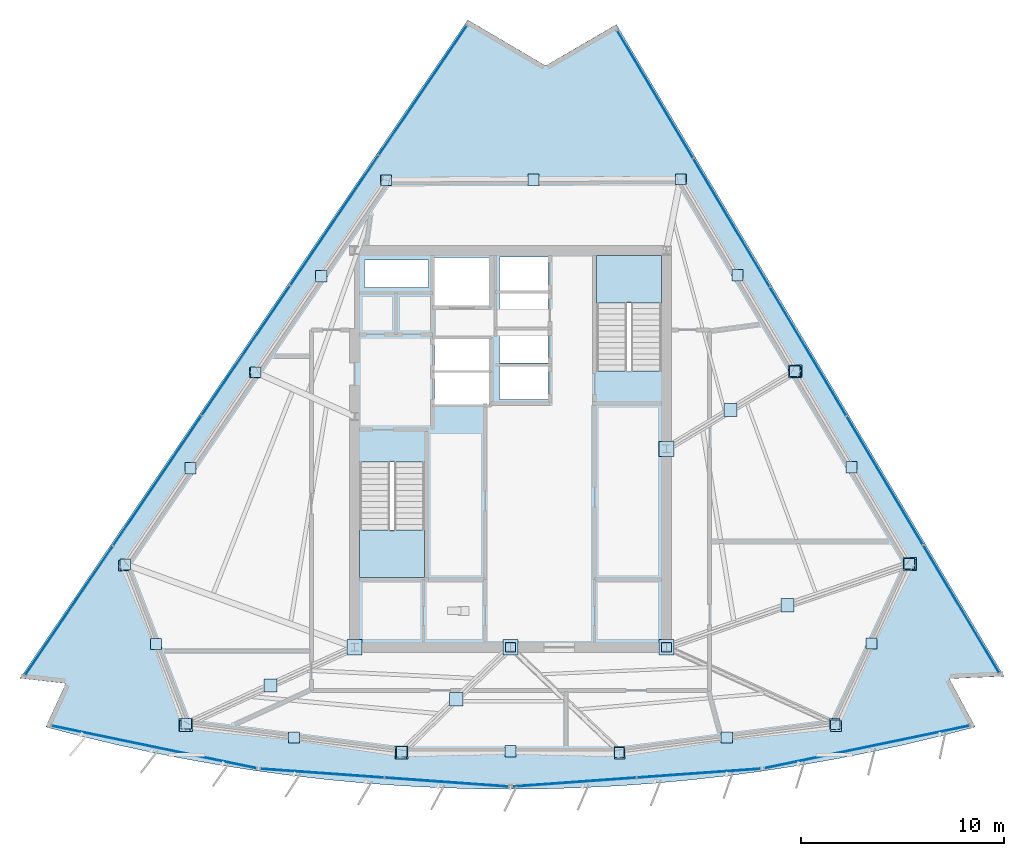
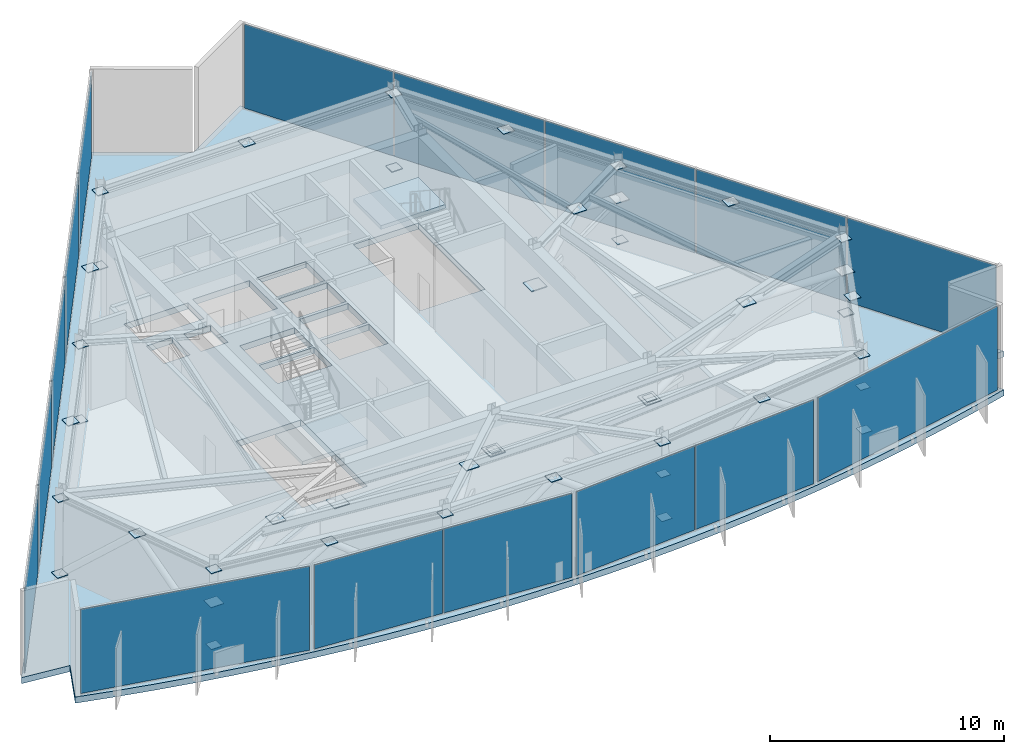
# One storey, part 7 of 14: 62 plates, 3 slabs, 8 elements without a shape of their own.
"""IFC4 building model written with IfcOpenShell, lengths in metres."""

from ifc_helpers import new_model, si_unit, direction, frame, origin, origin_2d, place, context, subcontext, project, spatial, polyline, rectangle, outline, extrude, material, layer, layer_set, type_object, element, aggregate, save


model = new_model("IFC4")

# Units and contexts
model_context = context("Model", 3, precision=1e-05, world=origin(), true_north=direction((0.0, 1.0)))
body_context = subcontext(model_context, "Body", "Model", "MODEL_VIEW")
ifc_project = project(units=[si_unit("LENGTHUNIT", "METRE"), si_unit("AREAUNIT", "SQUARE_METRE"), si_unit("VOLUMEUNIT", "CUBIC_METRE"), si_unit("PLANEANGLEUNIT", "RADIAN"), si_unit("MASSUNIT", "GRAM", prefix="KILO")], contexts=[model_context])

# Site, building, storey
site_placement = place(None, origin())
site = spatial("IfcSite", under=ifc_project, at=site_placement, CompositionType="ELEMENT")
building_placement = place(site_placement, origin())
building = spatial("IfcBuilding", under=site, at=building_placement, Name="Savorim Split Tower", CompositionType="ELEMENT")
storey_placement = place(building_placement, frame((0.0, 0.0, 241.5)))
storey = spatial("IfcBuildingStorey", under=building, at=storey_placement, Name="L64", CompositionType="ELEMENT", Elevation=241.5)

# Curtain wall, plate
ifc_material_1 = material(Name="Dark Ceramic-Fritted Insulated Glass", Category="glass")
curtain_wall_type = type_object("IfcCurtainWallType", Name="CW-REFUGE-LVR", PredefinedType="NOTDEFINED", material=ifc_material_1)
curtain_wall_1_placement = place(storey_placement, origin())
curtain_wall_1 = element("IfcCurtainWall", 1, at=curtain_wall_1_placement, inside=storey, type_object=curtain_wall_type, Name="L64 Curtain Wall CW-L64-SF1", PredefinedType="NOTDEFINED")
ifc_material_2 = material(Name="Charcoal Anodised Aluminium", Category="aluminium")
ifc_layer_1 = layer(ifc_material_2, 0.035888671875)
ifc_layer_set_1 = layer_set([ifc_layer_1], Name="CWP-LVR-36")
plate_type_1 = type_object("IfcPlateType", Name="CWP-LVR-36", PredefinedType="CURTAIN_PANEL", material=ifc_layer_set_1)
plate_1_placement = place(storey_placement, frame((-17.60107421875, -14.31982421875, 0.05517578125), z_axis=(0.0, 0.0, 1.0), x_axis=(0.979135673129, -0.20320761208, 0.0)))
plate_1 = element("IfcPlate", 2, at=plate_1_placement, type_object=plate_type_1, Name="CW-06 panel 1.1", PredefinedType="CURTAIN_PANEL", context=body_context, shape_type="SweptSolid", body=[
    extrude(rectangle(XDim=10.30029296875, YDim=0.035888671875, at=origin_2d()), origin(), (0.0, 0.0, 1.0), 4.389892578125),
])
aggregate(curtain_wall_1, [plate_1])

# Curtain wall, plates
curtain_wall_2_placement = place(storey_placement, origin())
curtain_wall_2 = element("IfcCurtainWall", 3, at=curtain_wall_2_placement, inside=storey, type_object=curtain_wall_type, Name="L64 Curtain Wall CW-L64-SF2", PredefinedType="NOTDEFINED")
plate_2_placement = place(storey_placement, frame((-9.29052734375, -15.6162109375, 0.05517578125), z_axis=(0.0, 0.0, 1.0), x_axis=(0.997436125678, -0.071562386711, 0.0)))
plate_2 = element("IfcPlate", 4, at=plate_2_placement, type_object=plate_type_1, Name="CW-06 panel 1.1", PredefinedType="CURTAIN_PANEL", context=body_context, shape_type="SweptSolid", body=[
    extrude(rectangle(XDim=6.088623046875, YDim=0.035888671875, at=origin_2d()), origin(), (0.0, 0.0, 1.0), 4.389892578125),
])
plate_3_placement = place(storey_placement, frame((-3.152587890625, -16.056640625, 0.05517578125), z_axis=(0.0, 0.0, 1.0), x_axis=(0.997436125678, -0.071562386711, 0.0)))
plate_3 = element("IfcPlate", 5, at=plate_3_placement, type_object=plate_type_1, Name="CW-06 panel 2.1", PredefinedType="CURTAIN_PANEL", context=body_context, shape_type="SweptSolid", body=[
    extrude(rectangle(XDim=6.088623046875, YDim=0.035888671875, at=origin_2d()), origin(), (0.0, 0.0, 1.0), 4.389892578125),
])
aggregate(curtain_wall_2, [plate_2, plate_3])

curtain_wall_3_placement = place(storey_placement, origin())
curtain_wall_3 = element("IfcCurtainWall", 6, at=curtain_wall_3_placement, inside=storey, type_object=curtain_wall_type, Name="L64 Curtain Wall CW-L64-SF3", PredefinedType="NOTDEFINED")
plate_4_placement = place(storey_placement, frame((3.152587890625, -16.056640625, 0.05517578125), z_axis=(0.0, 0.0, 1.0), x_axis=(0.997436125678, 0.071562386711, 0.0)))
plate_4 = element("IfcPlate", 7, at=plate_4_placement, type_object=plate_type_1, Name="CW-06 panel 1.1", PredefinedType="CURTAIN_PANEL", context=body_context, shape_type="SweptSolid", body=[
    extrude(rectangle(XDim=6.088623046875, YDim=0.035888671875, at=origin_2d()), origin(), (0.0, 0.0, 1.0), 4.389892578125),
])
plate_5_placement = place(storey_placement, frame((9.29052734375, -15.6162109375, 0.05517578125), z_axis=(0.0, 0.0, 1.0), x_axis=(0.997436125678, 0.071562386711, 0.0)))
plate_5 = element("IfcPlate", 8, at=plate_5_placement, type_object=plate_type_1, Name="CW-06 panel 2.1", PredefinedType="CURTAIN_PANEL", context=body_context, shape_type="SweptSolid", body=[
    extrude(rectangle(XDim=6.088623046875, YDim=0.035888671875, at=origin_2d()), origin(), (0.0, 0.0, 1.0), 4.389892578125),
])
aggregate(curtain_wall_3, [plate_4, plate_5])

# Curtain wall, plate
curtain_wall_4_placement = place(storey_placement, origin())
curtain_wall_4 = element("IfcCurtainWall", 9, at=curtain_wall_4_placement, inside=storey, type_object=curtain_wall_type, Name="L64 Curtain Wall CW-L64-SF4", PredefinedType="NOTDEFINED")
plate_6_placement = place(storey_placement, frame((17.60107421875, -14.31982421875, 0.05517578125), z_axis=(0.0, 0.0, 1.0), x_axis=(0.979135673129, 0.20320761208, 0.0)))
plate_6 = element("IfcPlate", 10, at=plate_6_placement, type_object=plate_type_1, Name="CW-06 panel 1.1", PredefinedType="CURTAIN_PANEL", context=body_context, shape_type="SweptSolid", body=[
    extrude(rectangle(XDim=10.30029296875, YDim=0.035888671875, at=origin_2d()), origin(), (0.0, 0.0, 1.0), 4.389892578125),
])
aggregate(curtain_wall_4, [plate_6])

# Curtain wall, plates
curtain_wall_5_placement = place(storey_placement, origin())
curtain_wall_5 = element("IfcCurtainWall", 11, at=curtain_wall_5_placement, inside=storey, type_object=curtain_wall_type, Name="L64 Curtain Wall CW-L64-EAST", PredefinedType="NOTDEFINED")
plate_7_placement = place(storey_placement, frame((22.254150390625, -7.510009765625, 0.05517578125), z_axis=(0.0, 0.0, 1.0), x_axis=(-0.511090446947, 0.859526936773, 0.0)))
plate_7 = element("IfcPlate", 12, at=plate_7_placement, type_object=plate_type_1, Name="CW-06 panel 1.1", PredefinedType="CURTAIN_PANEL", context=body_context, shape_type="SweptSolid", body=[
    extrude(rectangle(XDim=7.3037109375, YDim=0.035888671875, at=origin_2d()), origin(), (0.0, 0.0, 1.0), 4.389892578125),
])
plate_8_placement = place(storey_placement, frame((18.479736328125, -1.162353515625, 0.05517578125), z_axis=(0.0, 0.0, 1.0), x_axis=(-0.511090446947, 0.859526936773, 0.0)))
plate_8 = element("IfcPlate", 13, at=plate_8_placement, type_object=plate_type_1, Name="CW-06 panel 2.1", PredefinedType="CURTAIN_PANEL", context=body_context, shape_type="SweptSolid", body=[
    extrude(rectangle(XDim=7.336181640625, YDim=0.035888671875, at=origin_2d()), origin(), (0.0, 0.0, 1.0), 4.389892578125),
])
plate_9_placement = place(storey_placement, frame((14.697021484375, 5.19921875, 0.05517578125), z_axis=(0.0, 0.0, 1.0), x_axis=(-0.511090446947, 0.859526936773, 0.0)))
plate_9 = element("IfcPlate", 14, at=plate_9_placement, type_object=plate_type_1, Name="CW-06 panel 3.1", PredefinedType="CURTAIN_PANEL", context=body_context, shape_type="SweptSolid", body=[
    extrude(rectangle(XDim=7.336181640625, YDim=0.035888671875, at=origin_2d()), origin(), (0.0, 0.0, 1.0), 4.389892578125),
])
plate_10_placement = place(storey_placement, frame((10.914306640625, 11.560546875, 0.05517578125), z_axis=(0.0, 0.0, 1.0), x_axis=(-0.511090446947, 0.859526936773, 0.0)))
plate_10 = element("IfcPlate", 15, at=plate_10_placement, type_object=plate_type_1, Name="CW-06 panel 4.1", PredefinedType="CURTAIN_PANEL", context=body_context, shape_type="SweptSolid", body=[
    extrude(rectangle(XDim=7.336181640625, YDim=0.035888671875, at=origin_2d()), origin(), (0.0, 0.0, 1.0), 4.389892578125),
])
plate_11_placement = place(storey_placement, frame((7.139892578125, 17.908203125, 0.05517578125), z_axis=(0.0, 0.0, 1.0), x_axis=(-0.511090446947, 0.859526936773, 0.0)))
plate_11 = element("IfcPlate", 16, at=plate_11_placement, type_object=plate_type_1, Name="CW-06 panel 5.1", PredefinedType="CURTAIN_PANEL", context=body_context, shape_type="SweptSolid", body=[
    extrude(rectangle(XDim=7.3037109375, YDim=0.035888671875, at=origin_2d()), origin(), (0.0, 0.0, 1.0), 4.389892578125),
])
aggregate(curtain_wall_5, [plate_7, plate_8, plate_9, plate_10, plate_11])

curtain_wall_6_placement = place(storey_placement, origin())
curtain_wall_6 = element("IfcCurtainWall", 17, at=curtain_wall_6_placement, inside=storey, type_object=curtain_wall_type, Name="L64 Curtain Wall CW-L64-WEST", PredefinedType="NOTDEFINED")
plate_12_placement = place(storey_placement, frame((-4.32763671875, 18.10009765625, 0.05517578125), z_axis=(0.0, 0.0, 1.0), x_axis=(-0.562469313826, -0.826818160785, 0.0)))
plate_12 = element("IfcPlate", 18, at=plate_12_placement, type_object=plate_type_1, Name="CW-06 panel 1.1", PredefinedType="CURTAIN_PANEL", context=body_context, shape_type="SweptSolid", body=[
    extrude(rectangle(XDim=7.677001953125, YDim=0.035888671875, at=origin_2d()), origin(), (0.0, 0.0, 1.0), 4.389892578125),
])
plate_13_placement = place(storey_placement, frame((-8.691650390625, 11.685302734375, 0.05517578125), z_axis=(0.0, 0.0, 1.0), x_axis=(-0.562469313826, -0.826818160785, 0.0)))
plate_13 = element("IfcPlate", 19, at=plate_13_placement, type_object=plate_type_1, Name="CW-06 panel 2.1", PredefinedType="CURTAIN_PANEL", context=body_context, shape_type="SweptSolid", body=[
    extrude(rectangle(XDim=7.70947265625, YDim=0.035888671875, at=origin_2d()), origin(), (0.0, 0.0, 1.0), 4.389892578125),
])
plate_14_placement = place(storey_placement, frame((-13.064453125, 5.257080078125, 0.05517578125), z_axis=(0.0, 0.0, 1.0), x_axis=(-0.562469313826, -0.826818160785, 0.0)))
plate_14 = element("IfcPlate", 20, at=plate_14_placement, type_object=plate_type_1, Name="CW-06 panel 3.1", PredefinedType="CURTAIN_PANEL", context=body_context, shape_type="SweptSolid", body=[
    extrude(rectangle(XDim=7.70947265625, YDim=0.035888671875, at=origin_2d()), origin(), (0.0, 0.0, 1.0), 4.389892578125),
])
plate_15_placement = place(storey_placement, frame((-17.4375, -1.171142578125, 0.05517578125), z_axis=(0.0, 0.0, 1.0), x_axis=(-0.562469313826, -0.826818160785, 0.0)))
plate_15 = element("IfcPlate", 21, at=plate_15_placement, type_object=plate_type_1, Name="CW-06 panel 4.1", PredefinedType="CURTAIN_PANEL", context=body_context, shape_type="SweptSolid", body=[
    extrude(rectangle(XDim=7.70947265625, YDim=0.035888671875, at=origin_2d()), origin(), (0.0, 0.0, 1.0), 4.389892578125),
])
plate_16_placement = place(storey_placement, frame((-21.80126953125, -7.585693359375, 0.05517578125), z_axis=(0.0, 0.0, 1.0), x_axis=(-0.562469313826, -0.826818160785, 0.0)))
plate_16 = element("IfcPlate", 22, at=plate_16_placement, type_object=plate_type_1, Name="CW-06 panel 5.1", PredefinedType="CURTAIN_PANEL", context=body_context, shape_type="SweptSolid", body=[
    extrude(rectangle(XDim=7.677001953125, YDim=0.035888671875, at=origin_2d()), origin(), (0.0, 0.0, 1.0), 4.389892578125),
])
aggregate(curtain_wall_6, [plate_12, plate_13, plate_14, plate_15, plate_16])

# Plates
ifc_material_3 = material(Name="Steel S460", Category="steel")
ifc_layer_2 = layer(ifc_material_3, 0.028076171875)
ifc_layer_set_2 = layer_set([ifc_layer_2], Name="PLT-NODE-BN1")
plate_type_2 = type_object("IfcPlateType", Name="PLT-NODE-BN1", PredefinedType="SHEET", material=ifc_layer_set_2)
plate_17_placement = place(storey_placement, frame((-10.682373046875, -13.85205078125, 4.15576171875), z_axis=(0.0, 0.0, 1.0), x_axis=(1.0, 0.0, 0.0)))
element("IfcPlate", 23, at=plate_17_placement, inside=storey, type_object=plate_type_2, Name="L64 Belt Truss Apex Gusset Plate BN1-01", PredefinedType="SHEET", context=body_context, shape_type="SweptSolid", body=[
    extrude(rectangle(XDim=0.550048828125, YDim=0.550048828125, at=origin_2d()), origin(), (0.0, 0.0, 1.0), 0.028076171875),
])
for number, where, z_axis, x_axis, name in (
    (24, (-16.073486328125, -13.28564453125, 0.26611328125), (0.0, 0.0, 1.0), (1.0, 0.0, 0.0), "L64 Belt Truss Base Gusset Plate BNB-01"),
    (25, (-16.01171875, -13.185302734375, 4.15576171875), (0.0, 0.0, 1.0), (1.0, 0.0, 0.0), "L64 Belt Truss Chord Gusset Plate BCH-01"),
):
    element("IfcPlate", number, at=place(storey_placement, frame(where, z_axis=z_axis, x_axis=x_axis)), inside=storey, type_object=plate_type_2, Name=name, PredefinedType="SHEET", context=body_context, shape_type="SweptSolid", body=[
        extrude(rectangle(XDim=0.52001953125, YDim=0.52001953125, at=origin_2d()), origin(), (0.0, 0.0, 1.0), 0.028076171875),
    ])
plate_18_placement = place(storey_placement, frame((0.0, -14.534912109375, 4.15576171875), z_axis=(0.0, 0.0, 1.0), x_axis=(1.0, 0.0, 0.0)))
element("IfcPlate", 26, at=plate_18_placement, inside=storey, type_object=plate_type_2, Name="L64 Belt Truss Apex Gusset Plate BN1-02", PredefinedType="SHEET", context=body_context, shape_type="SweptSolid", body=[
    extrude(rectangle(XDim=0.550048828125, YDim=0.550048828125, at=origin_2d()), origin(), (0.0, 0.0, 1.0), 0.028076171875),
])
for number, where, z_axis, x_axis, name in (
    (27, (-5.386962890625, -14.65771484375, 0.26611328125), (0.0, 0.0, 1.0), (1.0, 0.0, 0.0), "L64 Belt Truss Base Gusset Plate BNB-02"),
    (28, (-5.3662109375, -14.552001953125, 4.15576171875), (0.0, 0.0, 1.0), (1.0, 0.0, 0.0), "L64 Belt Truss Chord Gusset Plate BCH-02"),
):
    element("IfcPlate", number, at=place(storey_placement, frame(where, z_axis=z_axis, x_axis=x_axis)), inside=storey, type_object=plate_type_2, Name=name, PredefinedType="SHEET", context=body_context, shape_type="SweptSolid", body=[
        extrude(rectangle(XDim=0.52001953125, YDim=0.52001953125, at=origin_2d()), origin(), (0.0, 0.0, 1.0), 0.028076171875),
    ])
plate_19_placement = place(storey_placement, frame((10.682373046875, -13.85205078125, 4.15576171875), z_axis=(0.0, 0.0, 1.0), x_axis=(1.0, 0.0, 0.0)))
element("IfcPlate", 29, at=plate_19_placement, inside=storey, type_object=plate_type_2, Name="L64 Belt Truss Apex Gusset Plate BN1-03", PredefinedType="SHEET", context=body_context, shape_type="SweptSolid", body=[
    extrude(rectangle(XDim=0.550048828125, YDim=0.550048828125, at=origin_2d()), origin(), (0.0, 0.0, 1.0), 0.028076171875),
])
for number, where, z_axis, x_axis, name in (
    (30, (5.386962890625, -14.65771484375, 0.26611328125), (0.0, 0.0, 1.0), (1.0, 0.0, 0.0), "L64 Belt Truss Base Gusset Plate BNB-03"),
    (31, (5.3662109375, -14.552001953125, 4.15576171875), (0.0, 0.0, 1.0), (1.0, 0.0, 0.0), "L64 Belt Truss Chord Gusset Plate BCH-03"),
):
    element("IfcPlate", number, at=place(storey_placement, frame(where, z_axis=z_axis, x_axis=x_axis)), inside=storey, type_object=plate_type_2, Name=name, PredefinedType="SHEET", context=body_context, shape_type="SweptSolid", body=[
        extrude(rectangle(XDim=0.52001953125, YDim=0.52001953125, at=origin_2d()), origin(), (0.0, 0.0, 1.0), 0.028076171875),
    ])
plate_20_placement = place(storey_placement, frame((17.833984375, -9.210205078125, 4.15576171875), z_axis=(0.0, 0.0, 1.0), x_axis=(1.0, 0.0, 0.0)))
element("IfcPlate", 32, at=plate_20_placement, inside=storey, type_object=plate_type_2, Name="L64 Belt Truss Apex Gusset Plate BN1-04", PredefinedType="SHEET", context=body_context, shape_type="SweptSolid", body=[
    extrude(rectangle(XDim=0.550048828125, YDim=0.550048828125, at=origin_2d()), origin(), (0.0, 0.0, 1.0), 0.028076171875),
])
for number, where, z_axis, x_axis, name in (
    (33, (16.073486328125, -13.28564453125, 0.26611328125), (0.0, 0.0, 1.0), (1.0, 0.0, 0.0), "L64 Belt Truss Base Gusset Plate BNB-04"),
    (34, (16.01171875, -13.185302734375, 4.15576171875), (0.0, 0.0, 1.0), (1.0, 0.0, 0.0), "L64 Belt Truss Chord Gusset Plate BCH-04"),
):
    element("IfcPlate", number, at=place(storey_placement, frame(where, z_axis=z_axis, x_axis=x_axis)), inside=storey, type_object=plate_type_2, Name=name, PredefinedType="SHEET", context=body_context, shape_type="SweptSolid", body=[
        extrude(rectangle(XDim=0.52001953125, YDim=0.52001953125, at=origin_2d()), origin(), (0.0, 0.0, 1.0), 0.028076171875),
    ])
plate_21_placement = place(storey_placement, frame((16.847900390625, -0.5107421875, 4.15576171875), z_axis=(0.0, 0.0, 1.0), x_axis=(1.0, 0.0, 0.0)))
element("IfcPlate", 35, at=plate_21_placement, inside=storey, type_object=plate_type_2, Name="L64 Belt Truss Apex Gusset Plate BN1-05", PredefinedType="SHEET", context=body_context, shape_type="SweptSolid", body=[
    extrude(rectangle(XDim=0.550048828125, YDim=0.550048828125, at=origin_2d()), origin(), (0.0, 0.0, 1.0), 0.028076171875),
])
for number, where, z_axis, x_axis, name in (
    (36, (19.757080078125, -5.326171875, 0.26611328125), (0.0, 0.0, 1.0), (1.0, 0.0, 0.0), "L64 Belt Truss Base Gusset Plate BNB-05"),
    (37, (19.67919921875, -5.26171875, 4.15576171875), (0.0, 0.0, 1.0), (1.0, 0.0, 0.0), "L64 Belt Truss Chord Gusset Plate BCH-05"),
):
    element("IfcPlate", number, at=place(storey_placement, frame(where, z_axis=z_axis, x_axis=x_axis)), inside=storey, type_object=plate_type_2, Name=name, PredefinedType="SHEET", context=body_context, shape_type="SweptSolid", body=[
        extrude(rectangle(XDim=0.52001953125, YDim=0.52001953125, at=origin_2d()), origin(), (0.0, 0.0, 1.0), 0.028076171875),
    ])
plate_22_placement = place(storey_placement, frame((11.21044921875, 8.9697265625, 4.15576171875), z_axis=(0.0, 0.0, 1.0), x_axis=(1.0, 0.0, 0.0)))
element("IfcPlate", 38, at=plate_22_placement, inside=storey, type_object=plate_type_2, Name="L64 Belt Truss Apex Gusset Plate BN1-06", PredefinedType="SHEET", context=body_context, shape_type="SweptSolid", body=[
    extrude(rectangle(XDim=0.550048828125, YDim=0.550048828125, at=origin_2d()), origin(), (0.0, 0.0, 1.0), 0.028076171875),
])
for number, where, z_axis, x_axis, name in (
    (39, (14.0947265625, 4.1962890625, 0.26611328125), (0.0, 0.0, 1.0), (1.0, 0.0, 0.0), "L64 Belt Truss Base Gusset Plate BNB-06"),
    (40, (14.038330078125, 4.224853515625, 4.15576171875), (0.0, 0.0, 1.0), (1.0, 0.0, 0.0), "L64 Belt Truss Chord Gusset Plate BCH-06"),
):
    element("IfcPlate", number, at=place(storey_placement, frame(where, z_axis=z_axis, x_axis=x_axis)), inside=storey, type_object=plate_type_2, Name=name, PredefinedType="SHEET", context=body_context, shape_type="SweptSolid", body=[
        extrude(rectangle(XDim=0.52001953125, YDim=0.52001953125, at=origin_2d()), origin(), (0.0, 0.0, 1.0), 0.028076171875),
    ])
plate_23_placement = place(storey_placement, frame((1.135009765625, 13.685546875, 4.15576171875), z_axis=(0.0, 0.0, 1.0), x_axis=(1.0, 0.0, 0.0)))
element("IfcPlate", 41, at=plate_23_placement, inside=storey, type_object=plate_type_2, Name="L64 Belt Truss Apex Gusset Plate BN1-07", PredefinedType="SHEET", context=body_context, shape_type="SweptSolid", body=[
    extrude(rectangle(XDim=0.550048828125, YDim=0.550048828125, at=origin_2d()), origin(), (0.0, 0.0, 1.0), 0.028076171875),
])
for number, where, z_axis, x_axis, name in (
    (42, (8.4326171875, 13.718994140625, 0.26611328125), (0.0, 0.0, 1.0), (1.0, 0.0, 0.0), "L64 Belt Truss Base Gusset Plate BNB-07"),
    (43, (8.3974609375, 13.711181640625, 4.15576171875), (0.0, 0.0, 1.0), (1.0, 0.0, 0.0), "L64 Belt Truss Chord Gusset Plate BCH-07"),
):
    element("IfcPlate", number, at=place(storey_placement, frame(where, z_axis=z_axis, x_axis=x_axis)), inside=storey, type_object=plate_type_2, Name=name, PredefinedType="SHEET", context=body_context, shape_type="SweptSolid", body=[
        extrude(rectangle(XDim=0.52001953125, YDim=0.52001953125, at=origin_2d()), origin(), (0.0, 0.0, 1.0), 0.028076171875),
    ])
plate_24_placement = place(storey_placement, frame((-9.3466796875, 8.9208984375, 4.15576171875), z_axis=(0.0, 0.0, 1.0), x_axis=(1.0, 0.0, 0.0)))
element("IfcPlate", 44, at=plate_24_placement, inside=storey, type_object=plate_type_2, Name="L64 Belt Truss Apex Gusset Plate BN1-08", PredefinedType="SHEET", context=body_context, shape_type="SweptSolid", body=[
    extrude(rectangle(XDim=0.550048828125, YDim=0.550048828125, at=origin_2d()), origin(), (0.0, 0.0, 1.0), 0.028076171875),
])
for number, where, z_axis, x_axis, name in (
    (45, (-6.152587890625, 13.670166015625, 0.26611328125), (0.0, 0.0, 1.0), (1.0, 0.0, 0.0), "L64 Belt Truss Base Gusset Plate BNB-08"),
    (46, (-6.126220703125, 13.662353515625, 4.15576171875), (0.0, 0.0, 1.0), (1.0, 0.0, 0.0), "L64 Belt Truss Chord Gusset Plate BCH-08"),
):
    element("IfcPlate", number, at=place(storey_placement, frame(where, z_axis=z_axis, x_axis=x_axis)), inside=storey, type_object=plate_type_2, Name=name, PredefinedType="SHEET", context=body_context, shape_type="SweptSolid", body=[
        extrude(rectangle(XDim=0.52001953125, YDim=0.52001953125, at=origin_2d()), origin(), (0.0, 0.0, 1.0), 0.028076171875),
    ])
plate_25_placement = place(storey_placement, frame((-15.796142578125, -0.5595703125, 4.15576171875), z_axis=(0.0, 0.0, 1.0), x_axis=(1.0, 0.0, 0.0)))
element("IfcPlate", 47, at=plate_25_placement, inside=storey, type_object=plate_type_2, Name="L64 Belt Truss Apex Gusset Plate BN1-09", PredefinedType="SHEET", context=body_context, shape_type="SweptSolid", body=[
    extrude(rectangle(XDim=0.550048828125, YDim=0.550048828125, at=origin_2d()), origin(), (0.0, 0.0, 1.0), 0.028076171875),
])
for number, where, z_axis, x_axis, name in (
    (48, (-12.630615234375, 4.147705078125, 0.26611328125), (0.0, 0.0, 1.0), (1.0, 0.0, 0.0), "L64 Belt Truss Base Gusset Plate BNB-09"),
    (49, (-12.57958984375, 4.176025390625, 4.15576171875), (0.0, 0.0, 1.0), (1.0, 0.0, 0.0), "L64 Belt Truss Chord Gusset Plate BCH-09"),
):
    element("IfcPlate", number, at=place(storey_placement, frame(where, z_axis=z_axis, x_axis=x_axis)), inside=storey, type_object=plate_type_2, Name=name, PredefinedType="SHEET", context=body_context, shape_type="SweptSolid", body=[
        extrude(rectangle(XDim=0.52001953125, YDim=0.52001953125, at=origin_2d()), origin(), (0.0, 0.0, 1.0), 0.028076171875),
    ])
plate_26_placement = place(storey_placement, frame((-17.51123046875, -9.234619140625, 4.15576171875), z_axis=(0.0, 0.0, 1.0), x_axis=(1.0, 0.0, 0.0)))
element("IfcPlate", 50, at=plate_26_placement, inside=storey, type_object=plate_type_2, Name="L64 Belt Truss Apex Gusset Plate BN1-10", PredefinedType="SHEET", context=body_context, shape_type="SweptSolid", body=[
    extrude(rectangle(XDim=0.550048828125, YDim=0.550048828125, at=origin_2d()), origin(), (0.0, 0.0, 1.0), 0.028076171875),
])
for number, where, z_axis, x_axis, name in (
    (51, (-19.1083984375, -5.375, 0.26611328125), (0.0, 0.0, 1.0), (1.0, 0.0, 0.0), "L64 Belt Truss Base Gusset Plate BNB-10"),
    (52, (-19.032958984375, -5.310302734375, 4.15576171875), (0.0, 0.0, 1.0), (1.0, 0.0, 0.0), "L64 Belt Truss Chord Gusset Plate BCH-10"),
):
    element("IfcPlate", number, at=place(storey_placement, frame(where, z_axis=z_axis, x_axis=x_axis)), inside=storey, type_object=plate_type_2, Name=name, PredefinedType="SHEET", context=body_context, shape_type="SweptSolid", body=[
        extrude(rectangle(XDim=0.52001953125, YDim=0.52001953125, at=origin_2d()), origin(), (0.0, 0.0, 1.0), 0.028076171875),
    ])
ifc_layer_3 = layer(ifc_material_3, 0.02490234375)
ifc_layer_set_3 = layer_set([ifc_layer_3], Name="PLT-NODE-CN1")
plate_type_3 = type_object("IfcPlateType", Name="PLT-NODE-CN1", PredefinedType="SHEET", material=ifc_layer_set_3)
for number, where, z_axis, x_axis, name in (
    (53, (0.0, -9.39990234375, 2.507568359375), (0.0, 0.0, 1.0), (1.0, 0.0, 0.0), "L64 Tie Strut Core Gusset Plate 1"),
    (54, (5.375, -14.5966796875, 2.507568359375), (0.0, 0.0, 1.0), (1.0, 0.0, 0.0), "L64 Tie Strut Column Gusset Plate 1"),
    (55, (7.699951171875, -9.39990234375, 2.507568359375), (0.0, 0.0, 1.0), (1.0, 0.0, 0.0), "L64 Tie Strut Core Gusset Plate 2"),
    (56, (16.037841796875, -13.227783203125, 2.507568359375), (0.0, 0.0, 1.0), (1.0, 0.0, 0.0), "L64 Tie Strut Column Gusset Plate 2"),
):
    element("IfcPlate", number, at=place(storey_placement, frame(where, z_axis=z_axis, x_axis=x_axis)), inside=storey, type_object=plate_type_3, Name=name, PredefinedType="SHEET", context=body_context, shape_type="SweptSolid", body=[
        extrude(rectangle(XDim=0.47998046875, YDim=0.47998046875, at=origin_2d()), origin(), (0.0, 0.0, 1.0), 0.02490234375),
    ])
ifc_layer_4 = layer(ifc_material_3, 0.035888671875)
ifc_layer_set_4 = layer_set([ifc_layer_4], Name="PLT-NODE-ON1")
plate_type_4 = type_object("IfcPlateType", Name="PLT-NODE-ON1", PredefinedType="SHEET", material=ifc_layer_set_4)
plate_27_placement = place(storey_placement, frame((-7.699951171875, -9.39990234375, 2.4619140625), z_axis=(0.0, 0.0, 1.0), x_axis=(1.0, 0.0, 0.0)))
element("IfcPlate", 57, at=plate_27_placement, inside=storey, type_object=plate_type_4, Name="L64 Outrigger Core Embedment Plate ON1-1", PredefinedType="SHEET", context=body_context, shape_type="SweptSolid", body=[
    extrude(rectangle(XDim=0.75, YDim=0.75, at=origin_2d()), origin(), (0.0, 0.0, 1.0), 0.035888671875),
])
plate_28_placement = place(storey_placement, frame((-11.850830078125, -11.284423828125, 4.18408203125), z_axis=(0.0, 0.0, 1.0), x_axis=(1.0, 0.0, 0.0)))
element("IfcPlate", 58, at=plate_28_placement, inside=storey, type_object=plate_type_4, Name="L64 Outrigger Apex Gusset Plate ONT-1", PredefinedType="SHEET", context=body_context, shape_type="SweptSolid", body=[
    extrude(rectangle(XDim=0.64990234375, YDim=0.64990234375, at=origin_2d()), origin(), (0.0, 0.0, 1.0), 0.031982421875),
])
plate_29_placement = place(storey_placement, frame((0.0, -9.39990234375, 2.4619140625), z_axis=(0.0, 0.0, 1.0), x_axis=(1.0, 0.0, 0.0)))
element("IfcPlate", 59, at=plate_29_placement, inside=storey, type_object=plate_type_4, Name="L64 Outrigger Core Embedment Plate ON1-2", PredefinedType="SHEET", context=body_context, shape_type="SweptSolid", body=[
    extrude(rectangle(XDim=0.75, YDim=0.75, at=origin_2d()), origin(), (0.0, 0.0, 1.0), 0.035888671875),
])
plate_30_placement = place(storey_placement, frame((-2.681396484375, -11.967529296875, 4.18408203125), z_axis=(0.0, 0.0, 1.0), x_axis=(1.0, 0.0, 0.0)))
element("IfcPlate", 60, at=plate_30_placement, inside=storey, type_object=plate_type_4, Name="L64 Outrigger Apex Gusset Plate ONT-2", PredefinedType="SHEET", context=body_context, shape_type="SweptSolid", body=[
    extrude(rectangle(XDim=0.64990234375, YDim=0.64990234375, at=origin_2d()), origin(), (0.0, 0.0, 1.0), 0.031982421875),
])
plate_31_placement = place(storey_placement, frame((7.699951171875, -9.39990234375, 2.4619140625), z_axis=(0.0, 0.0, 1.0), x_axis=(1.0, 0.0, 0.0)))
element("IfcPlate", 61, at=plate_31_placement, inside=storey, type_object=plate_type_4, Name="L64 Outrigger Core Embedment Plate ON1-3", PredefinedType="SHEET", context=body_context, shape_type="SweptSolid", body=[
    extrude(rectangle(XDim=0.75, YDim=0.75, at=origin_2d()), origin(), (0.0, 0.0, 1.0), 0.035888671875),
])
plate_32_placement = place(storey_placement, frame((13.68310546875, -7.325439453125, 4.18408203125), z_axis=(0.0, 0.0, 1.0), x_axis=(1.0, 0.0, 0.0)))
element("IfcPlate", 62, at=plate_32_placement, inside=storey, type_object=plate_type_4, Name="L64 Outrigger Apex Gusset Plate ONT-3", PredefinedType="SHEET", context=body_context, shape_type="SweptSolid", body=[
    extrude(rectangle(XDim=0.64990234375, YDim=0.64990234375, at=origin_2d()), origin(), (0.0, 0.0, 1.0), 0.031982421875),
])
plate_33_placement = place(storey_placement, frame((7.699951171875, 0.39990234375, 2.4619140625), z_axis=(0.0, 0.0, 1.0), x_axis=(1.0, 0.0, 0.0)))
element("IfcPlate", 63, at=plate_33_placement, inside=storey, type_object=plate_type_4, Name="L64 Outrigger Core Embedment Plate ON1-4", PredefinedType="SHEET", context=body_context, shape_type="SweptSolid", body=[
    extrude(rectangle(XDim=0.75, YDim=0.75, at=origin_2d()), origin(), (0.0, 0.0, 1.0), 0.035888671875),
])
plate_34_placement = place(storey_placement, frame((10.864501953125, 2.314697265625, 4.18408203125), z_axis=(0.0, 0.0, 1.0), x_axis=(1.0, 0.0, 0.0)))
element("IfcPlate", 64, at=plate_34_placement, inside=storey, type_object=plate_type_4, Name="L64 Outrigger Apex Gusset Plate ONT-4", PredefinedType="SHEET", context=body_context, shape_type="SweptSolid", body=[
    extrude(rectangle(XDim=0.64990234375, YDim=0.64990234375, at=origin_2d()), origin(), (0.0, 0.0, 1.0), 0.031982421875),
])
ifc_layer_5 = layer(ifc_material_3, 0.031982421875)
ifc_layer_set_5 = layer_set([ifc_layer_5], Name="PLT-NODE-ON2")
plate_type_5 = type_object("IfcPlateType", Name="PLT-NODE-ON2", PredefinedType="SHEET", material=ifc_layer_set_5)
for number, where, z_axis, x_axis, name in (
    (65, (-16.03857421875, -13.22900390625, 2.4638671875), (0.0, 0.0, 1.0), (1.0, 0.0, 0.0), "L64 Outrigger Column Gusset Plate ON2-1"),
    (66, (-5.375244140625, -14.597900390625, 2.4638671875), (0.0, 0.0, 1.0), (1.0, 0.0, 0.0), "L64 Outrigger Column Gusset Plate ON2-2"),
    (67, (19.712890625, -5.289794921875, 2.4638671875), (0.0, 0.0, 1.0), (1.0, 0.0, 0.0), "L64 Outrigger Column Gusset Plate ON2-3"),
    (68, (14.062744140625, 4.21240234375, 2.4638671875), (0.0, 0.0, 1.0), (1.0, 0.0, 0.0), "L64 Outrigger Column Gusset Plate ON2-4"),
):
    element("IfcPlate", number, at=place(storey_placement, frame(where, z_axis=z_axis, x_axis=x_axis)), inside=storey, type_object=plate_type_5, Name=name, PredefinedType="SHEET", context=body_context, shape_type="SweptSolid", body=[
        extrude(rectangle(XDim=0.64990234375, YDim=0.64990234375, at=origin_2d()), origin(), (0.0, 0.0, 1.0), 0.031982421875),
    ])

# Stair, slab
ifc_material_4 = material(Name="Concrete C50/60", Category="concrete")
stair_type = type_object("IfcStairType", Name="STR-DOG-4800", PredefinedType="HALF_TURN_STAIR", material=ifc_material_4)
stair_1_placement = place(storey_placement, origin())
stair_1 = element("IfcStair", 69, at=stair_1_placement, inside=storey, type_object=stair_type, Name="L64 Core Protected Exit Stair ST-1", PredefinedType="HALF_TURN_STAIR")
ifc_layer_6 = layer(ifc_material_4, 0.199951171875)
ifc_layer_set_6 = layer_set([ifc_layer_6], Name="SLB-LND-200")
slab_type_1 = type_object("IfcSlabType", Name="SLB-LND-200", PredefinedType="LANDING", material=ifc_layer_set_6)
slab_1_placement = place(storey_placement, frame((0.0, 0.0, 2.199951171875)))
slab_1 = element("IfcSlab", 70, at=slab_1_placement, type_object=slab_type_1, Name="ST-1 landing 1", PredefinedType="LANDING", context=body_context, shape_type="SweptSolid", body=[
    extrude(outline(polyline([(-7.449951171875, -3.610107421875), (-7.449951171875, -5.949951171875), (-4.25, -5.949951171875), (-4.25, -3.610107421875), (-7.449951171875, -3.610107421875)])), origin(), (0.0, 0.0, 1.0), 0.199951171875),
])
aggregate(stair_1, [slab_1])

stair_2_placement = place(storey_placement, origin())
stair_2 = element("IfcStair", 71, at=stair_2_placement, inside=storey, type_object=stair_type, Name="L64 Core Protected Exit Stair ST-2", PredefinedType="HALF_TURN_STAIR")
slab_2_placement = place(storey_placement, frame((0.0, 0.0, 2.199951171875)))
slab_2 = element("IfcSlab", 72, at=slab_2_placement, type_object=slab_type_1, Name="ST-2 landing 1", PredefinedType="LANDING", context=body_context, shape_type="SweptSolid", body=[
    extrude(outline(polyline([(7.449951171875, 7.610107421875), (7.449951171875, 9.949951171875), (4.25, 9.949951171875), (4.25, 7.610107421875), (7.449951171875, 7.610107421875)])), origin(), (0.0, 0.0, 1.0), 0.199951171875),
])
aggregate(stair_2, [slab_2])

# Slab
ifc_layer_7 = layer(ifc_material_4, 0.320068359375)
ifc_layer_set_7 = layer_set([ifc_layer_7], Name="SLB-POD-320")
slab_type_2 = type_object("IfcSlabType", Name="SLB-POD-320", PredefinedType="FLOOR", material=ifc_layer_set_7)
slab_3_placement = place(storey_placement, frame((0.0, 0.0, -0.320068359375)))
element("IfcSlab", 73, at=slab_3_placement, inside=storey, type_object=slab_type_2, Name="L64 Structural Floor Slab", PredefinedType="FLOOR", context=body_context, shape_type="SweptSolid", body=[
    extrude(outline(polyline([(-22.947265625, -13.332763671875), (-21.21923828125, -13.78466796875), (-19.482421875, -14.201171875), (-17.7373046875, -14.58203125), (-15.984619140625, -14.927001953125), (-14.2255859375, -15.236083984375), (-12.46044921875, -15.50927734375), (-10.690185546875, -15.74609375), (-8.915283203125, -15.94677734375), (-7.13671875, -16.111083984375), (-5.35498046875, -16.23876953125), (-3.5712890625, -16.330078125), (-1.785888671875, -16.385009765625), (0.0, -16.4033203125), (1.785888671875, -16.385009765625), (3.5712890625, -16.330078125), (5.35498046875, -16.23876953125), (7.13671875, -16.111083984375), (8.915283203125, -15.94677734375), (10.690185546875, -15.74609375), (12.46044921875, -15.50927734375), (14.2255859375, -15.236083984375), (15.984619140625, -14.927001953125), (17.7373046875, -14.58203125), (19.482421875, -14.201171875), (21.21923828125, -13.78466796875), (22.947265625, -13.332763671875), (21.667236328125, -10.947509765625), (24.369384765625, -10.83251953125), (5.23095703125, 21.353515625), (1.7373046875, 19.317138671875), (-2.107666015625, 21.576904296875), (-24.219970703125, -10.927734375), (-21.958251953125, -11.180419921875), (-22.947265625, -13.332763671875)]), holes=[polyline([(-7.449951171875, -0.25390625), (-7.449951171875, -5.949951171875), (-4.25, -5.949951171875), (-4.25, -0.25390625), (-7.449951171875, -0.25390625)]), polyline([(7.449951171875, 4.25390625), (7.449951171875, 9.949951171875), (4.25, 9.949951171875), (4.25, 4.25390625), (7.449951171875, 4.25390625)]), polyline([(-0.550048828125, 2.830078125), (1.85009765625, 2.830078125), (1.85009765625, 4.469970703125), (-0.550048828125, 4.469970703125), (-0.550048828125, 2.830078125)]), polyline([(-0.550048828125, 4.6298828125), (1.85009765625, 4.6298828125), (1.85009765625, 6.27001953125), (-0.550048828125, 6.27001953125), (-0.550048828125, 4.6298828125)]), polyline([(-0.550048828125, 6.429931640625), (1.85009765625, 6.429931640625), (1.85009765625, 8.070068359375), (-0.550048828125, 8.070068359375), (-0.550048828125, 6.429931640625)]), polyline([(-0.550048828125, 8.22998046875), (1.85009765625, 8.22998046875), (1.85009765625, 9.8701171875), (-0.550048828125, 9.8701171875), (-0.550048828125, 8.22998046875)]), polyline([(-3.75, 2.60009765625), (-1.050048828125, 2.60009765625), (-1.050048828125, 4.159912109375), (-3.75, 4.159912109375), (-3.75, 2.60009765625)]), polyline([(-3.75, 4.280029296875), (-1.050048828125, 4.280029296875), (-1.050048828125, 5.840087890625), (-3.75, 5.840087890625), (-3.75, 4.280029296875)]), polyline([(-3.75, 7.449951171875), (-0.949951171875, 7.449951171875), (-0.949951171875, 9.85009765625), (-3.75, 9.85009765625), (-3.75, 7.449951171875)]), polyline([(-7.219970703125, 6.320068359375), (-5.919921875, 6.320068359375), (-5.919921875, 7.820068359375), (-7.219970703125, 7.820068359375), (-7.219970703125, 6.320068359375)]), polyline([(-5.3798828125, 6.320068359375), (-4.050048828125, 6.320068359375), (-4.050048828125, 7.820068359375), (-5.3798828125, 7.820068359375), (-5.3798828125, 6.320068359375)]), polyline([(-7.219970703125, 8.360107421875), (-4.050048828125, 8.360107421875), (-4.050048828125, 9.719970703125), (-7.219970703125, 9.719970703125), (-7.219970703125, 8.360107421875)])]), origin(), (0.0, 0.0, 1.0), 0.320068359375),
])

save(model, "model.ifc")
